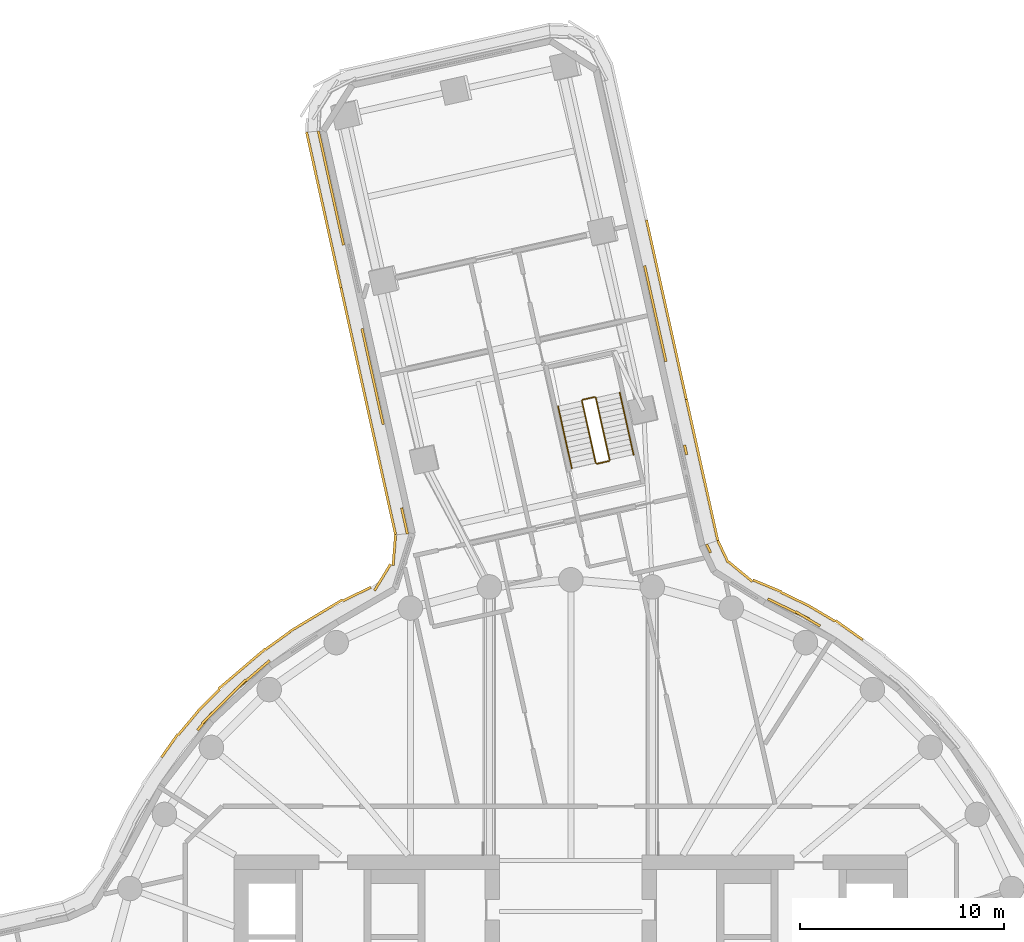
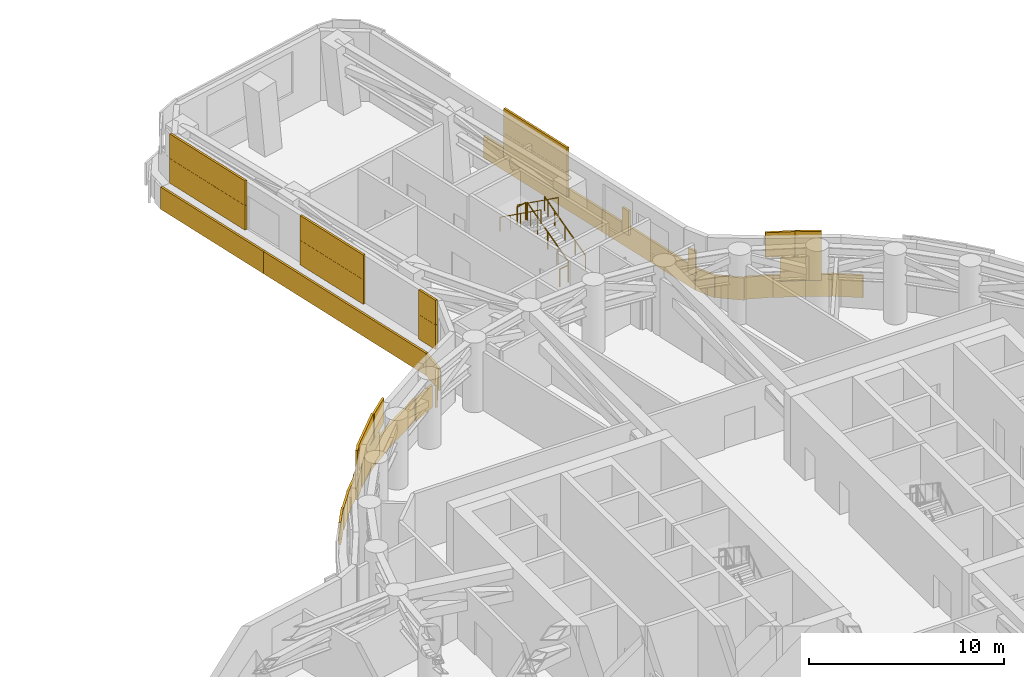
# One storey, part 21 of 22: 6 coverings, 6 railings.
"""IFC4 building model written with IfcOpenShell, lengths in metres."""

from ifc_helpers import new_model, si_unit, direction, frame, origin, origin_2d, place, context, subcontext, project, spatial, rectangle, circle, extrude, material, layer, layer_set, type_object, element, save


model = new_model("IFC4")

# Units and contexts
model_context = context("Model", 3, precision=1e-05, world=origin(), true_north=direction((0.0, 1.0)))
body_context = subcontext(model_context, "Body", "Model", "MODEL_VIEW")
ifc_project = project(units=[si_unit("LENGTHUNIT", "METRE"), si_unit("AREAUNIT", "SQUARE_METRE"), si_unit("VOLUMEUNIT", "CUBIC_METRE"), si_unit("PLANEANGLEUNIT", "RADIAN"), si_unit("MASSUNIT", "GRAM", prefix="KILO")], contexts=[model_context])

# Site, building, storey
site_placement = place(None, origin())
site = spatial("IfcSite", under=ifc_project, at=site_placement, CompositionType="ELEMENT")
building_placement = place(site_placement, origin())
building = spatial("IfcBuilding", under=site, at=building_placement, Name="Tamarind Cross Interchange Tower", CompositionType="ELEMENT")
storey_placement = place(building_placement, frame((0.0, 0.0, 79.0)))
storey = spatial("IfcBuildingStorey", under=building, at=storey_placement, Name="L18", CompositionType="ELEMENT", Elevation=79.0)

# Railings
ifc_material_1 = material(Name="Stair guard")
railing_type_1 = type_object("IfcRailingType", Name="Stair guard", PredefinedType="GUARDRAIL", material=ifc_material_1)
railing_1_placement = place(storey_placement, frame((1.902587890625, 28.876953125, 0.173095703125)))
element("IfcRailing", 1, at=railing_1_placement, inside=storey, type_object=railing_type_1, Name="L18 ST4 stair guard 1", PredefinedType="GUARDRAIL", context=body_context, shape_type="SweptSolid", body=[
    extrude(circle(Radius=0.02392578125, at=origin_2d()), frame((0.0, 0.0, 1.076171875), z_axis=(-0.18075383785, 0.812578063848, 0.554116359852), x_axis=(-0.976141010106, -0.217137579402, 0.0)), (0.0, 0.0, 1.0), 3.748046875),
    extrude(circle(Radius=0.02099609375, at=origin_2d()), origin(), (0.0, 0.0, 1.0), 1.052001953125),
    extrude(circle(Radius=0.02099609375, at=origin_2d()), frame((-0.16943359375, 0.761474609375, 0.519287109375)), (0.0, 0.0, 1.0), 1.052001953125),
    extrude(circle(Radius=0.02099609375, at=origin_2d()), frame((-0.3388671875, 1.52294921875, 1.03857421875)), (0.0, 0.0, 1.0), 1.052001953125),
    extrude(circle(Radius=0.02099609375, at=origin_2d()), frame((-0.508056640625, 2.2841796875, 1.5576171875)), (0.0, 0.0, 1.0), 1.052001953125),
    extrude(circle(Radius=0.02099609375, at=origin_2d()), frame((-0.677490234375, 3.045654296875, 2.076904296875)), (0.0, 0.0, 1.0), 1.052001953125),
])
railing_2_placement = place(storey_placement, frame((1.16552734375, 31.96044921875, 2.25)))
element("IfcRailing", 2, at=railing_2_placement, inside=storey, type_object=railing_type_1, Name="L18 ST4 stair guard 2", PredefinedType="GUARDRAIL", context=body_context, shape_type="SweptSolid", body=[
    extrude(circle(Radius=0.02392578125, at=origin_2d()), frame((0.0, 0.0, 1.076171875), z_axis=(-0.976196633778, -0.216887372157, 0.0), x_axis=(0.216887372157, -0.976196633778, 0.0)), (0.0, 0.0, 1.0), 0.599853515625),
    extrude(circle(Radius=0.02099609375, at=origin_2d()), origin(), (0.0, 0.0, 1.0), 1.052001953125),
    extrude(circle(Radius=0.02099609375, at=origin_2d()), frame((-0.585693359375, -0.130126953125, 0.0)), (0.0, 0.0, 1.0), 1.052001953125),
])
railing_3_placement = place(storey_placement, frame((0.5419921875, 31.770751953125, 2.423095703125)))
element("IfcRailing", 3, at=railing_3_placement, inside=storey, type_object=railing_type_1, Name="L18 ST4 stair guard 3", PredefinedType="GUARDRAIL", context=body_context, shape_type="SweptSolid", body=[
    extrude(circle(Radius=0.02392578125, at=origin_2d()), frame((0.0, 0.0, 1.076171875), z_axis=(0.180690828356, -0.812587629324, 0.554122882778), x_axis=(0.976157592696, 0.217063019009, 0.0)), (0.0, 0.0, 1.0), 3.748046875),
    extrude(circle(Radius=0.02099609375, at=origin_2d()), origin(), (0.0, 0.0, 1.0), 1.052001953125),
    extrude(circle(Radius=0.02099609375, at=origin_2d()), frame((0.16943359375, -0.761474609375, 0.519287109375)), (0.0, 0.0, 1.0), 1.052001953125),
    extrude(circle(Radius=0.02099609375, at=origin_2d()), frame((0.338623046875, -1.52294921875, 1.03857421875)), (0.0, 0.0, 1.0), 1.052001953125),
    extrude(circle(Radius=0.02099609375, at=origin_2d()), frame((0.5078125, -2.2841796875, 1.5576171875)), (0.0, 0.0, 1.0), 1.052001953125),
    extrude(circle(Radius=0.02099609375, at=origin_2d()), frame((0.67724609375, -3.045654296875, 2.076904296875)), (0.0, 0.0, 1.0), 1.052001953125),
])
railing_4_placement = place(storey_placement, frame((1.864501953125, 28.8173828125, 0.0)))
element("IfcRailing", 4, at=railing_4_placement, inside=storey, type_object=railing_type_1, Name="L18 ST4 stair guard 4", PredefinedType="GUARDRAIL", context=body_context, shape_type="SweptSolid", body=[
    extrude(circle(Radius=0.02392578125, at=origin_2d()), frame((0.0, 0.0, 1.076171875), z_axis=(-0.976110409751, -0.21727509746, 0.0), x_axis=(0.21727509746, -0.976110409751, 0.0)), (0.0, 0.0, 1.0), 0.60009765625),
    extrude(circle(Radius=0.02099609375, at=origin_2d()), origin(), (0.0, 0.0, 1.0), 1.052001953125),
    extrude(circle(Radius=0.02099609375, at=origin_2d()), frame((-0.585693359375, -0.13037109375, 0.0)), (0.0, 0.0, 1.0), 1.052001953125),
])
ifc_material_2 = material(Name="Stair handrail")
railing_type_2 = type_object("IfcRailingType", Name="Stair handrail", PredefinedType="HANDRAIL", material=ifc_material_2)
railing_5_placement = place(storey_placement, frame((3.073974609375, 29.137451171875, 0.173095703125)))
element("IfcRailing", 5, at=railing_5_placement, inside=storey, type_object=railing_type_2, Name="L18 ST4 stair handrail 1", PredefinedType="HANDRAIL", context=body_context, shape_type="SweptSolid", body=[
    extrude(circle(Radius=0.02392578125, at=origin_2d()), frame((0.0, 0.0, 0.8759765625), z_axis=(-0.18075383785, 0.812578063848, 0.554116359852), x_axis=(-0.976141010106, -0.217137579402, 0.0)), (0.0, 0.0, 1.0), 3.748046875),
    extrude(circle(Radius=0.02099609375, at=origin_2d()), origin(), (0.0, 0.0, 1.0), 0.851806640625),
    extrude(circle(Radius=0.02099609375, at=origin_2d()), frame((-0.16943359375, 0.761474609375, 0.519287109375)), (0.0, 0.0, 1.0), 0.851806640625),
    extrude(circle(Radius=0.02099609375, at=origin_2d()), frame((-0.3388671875, 1.52294921875, 1.03857421875)), (0.0, 0.0, 1.0), 0.851806640625),
    extrude(circle(Radius=0.02099609375, at=origin_2d()), frame((-0.508056640625, 2.2841796875, 1.5576171875)), (0.0, 0.0, 1.0), 0.851806640625),
    extrude(circle(Radius=0.02099609375, at=origin_2d()), frame((-0.677490234375, 3.045654296875, 2.076904296875)), (0.0, 0.0, 1.0), 0.851806640625),
])
railing_6_placement = place(storey_placement, frame((-0.62939453125, 31.51025390625, 2.423095703125)))
element("IfcRailing", 6, at=railing_6_placement, inside=storey, type_object=railing_type_2, Name="L18 ST4 stair handrail 2", PredefinedType="HANDRAIL", context=body_context, shape_type="SweptSolid", body=[
    extrude(circle(Radius=0.02392578125, at=origin_2d()), frame((0.0, 0.0, 0.8759765625), z_axis=(0.180690828356, -0.812587629324, 0.554122882778), x_axis=(0.976157592696, 0.217063019009, 0.0)), (0.0, 0.0, 1.0), 3.748046875),
    extrude(circle(Radius=0.02099609375, at=origin_2d()), origin(), (0.0, 0.0, 1.0), 0.851806640625),
    extrude(circle(Radius=0.02099609375, at=origin_2d()), frame((0.16943359375, -0.761474609375, 0.519287109375)), (0.0, 0.0, 1.0), 0.851806640625),
    extrude(circle(Radius=0.02099609375, at=origin_2d()), frame((0.338623046875, -1.52294921875, 1.03857421875)), (0.0, 0.0, 1.0), 0.851806640625),
    extrude(circle(Radius=0.02099609375, at=origin_2d()), frame((0.5078125, -2.2841796875, 1.5576171875)), (0.0, 0.0, 1.0), 0.851806640625),
    extrude(circle(Radius=0.02099609375, at=origin_2d()), frame((0.67724609375, -3.045654296875, 2.076904296875)), (0.0, 0.0, 1.0), 0.851806640625),
])

# Coverings
ifc_material_3 = material(Name="Terracotta", Category="masonry")
ifc_layer = layer(ifc_material_3, 0.1201171875)
ifc_layer_set = layer_set([ifc_layer], Name="Terracotta")
covering_type = type_object("IfcCoveringType", Name="Terracotta baguette screen unit", PredefinedType="MOLDING", material=ifc_layer_set)
covering_1_placement = place(storey_placement, origin())
element("IfcCovering", 7, at=covering_1_placement, inside=storey, type_object=covering_type, Name="SCR-L18-10-01", PredefinedType="MOLDING", context=body_context, shape_type="SweptSolid", body=[
    extrude(rectangle(XDim=0.64013671875, YDim=0.1201171875, at=origin_2d()), frame((11.942626953125, 20.895751953125, 1.404052734375), z_axis=(0.0, 0.0, 1.0), x_axis=(-0.861248933065, 0.508183308752, 0.0)), (0.0, 0.0, 1.0), 1.5419921875),
    extrude(rectangle(XDim=1.52001953125, YDim=0.1201171875, at=origin_2d()), frame((11.009765625, 21.407470703125, 1.404052734375), z_axis=(0.0, 0.0, 1.0), x_axis=(-0.900272776334, 0.435326231914, 0.0)), (0.0, 0.0, 1.0), 1.5419921875),
    extrude(rectangle(XDim=0.4677734375, YDim=0.1201171875, at=origin_2d()), frame((6.7509765625, 24.535888671875, 1.404052734375), z_axis=(0.0, 0.0, 1.0), x_axis=(-0.427216997365, 0.904149123299, 0.0)), (0.0, 0.0, 1.0), 1.5419921875),
    extrude(rectangle(XDim=1.39013671875, YDim=0.1201171875, at=origin_2d()), frame((11.61962890625, 21.086181640625, 2.9541015625), z_axis=(0.0, 0.0, 1.0), x_axis=(-0.861248933065, 0.508183308752, 0.0)), (0.0, 0.0, 1.0), 1.5419921875),
    extrude(rectangle(XDim=1.52001953125, YDim=0.1201171875, at=origin_2d()), frame((10.33447265625, 21.734130859375, 2.9541015625), z_axis=(0.0, 0.0, 1.0), x_axis=(-0.900272776334, 0.435326231914, 0.0)), (0.0, 0.0, 1.0), 1.5419921875),
    extrude(rectangle(XDim=0.143798828125, YDim=0.1201171875, at=origin_2d()), frame((14.248291015625, 20.10205078125, 0.00390625), z_axis=(0.0, 0.0, 1.0), x_axis=(-0.816341886298, 0.577568978284, 0.0)), (0.0, 0.0, 1.0), 1.39208984375),
    extrude(rectangle(XDim=1.52001953125, YDim=0.1201171875, at=origin_2d()), frame((13.58544921875, 20.57080078125, 0.00390625), z_axis=(0.0, 0.0, 1.0), x_axis=(-0.816341886298, 0.577568978284, 0.0)), (0.0, 0.0, 1.0), 1.39208984375),
    extrude(rectangle(XDim=1.52001953125, YDim=0.1201171875, at=origin_2d()), frame((12.303955078125, 21.34912109375, 0.00390625), z_axis=(0.0, 0.0, 1.0), x_axis=(-0.861248933065, 0.508183308752, 0.0)), (0.0, 0.0, 1.0), 1.39208984375),
    extrude(rectangle(XDim=1.52001953125, YDim=0.1201171875, at=origin_2d()), frame((10.9833984375, 22.057861328125, 0.00390625), z_axis=(0.0, 0.0, 1.0), x_axis=(-0.900272776334, 0.435326231914, 0.0)), (0.0, 0.0, 1.0), 1.39208984375),
    extrude(rectangle(XDim=1.52001953125, YDim=0.1201171875, at=origin_2d()), frame((9.62841796875, 22.700439453125, 0.00390625), z_axis=(0.0, 0.0, 1.0), x_axis=(-0.923118099232, 0.384516546939, 0.0)), (0.0, 0.0, 1.0), 1.39208984375),
    extrude(rectangle(XDim=1.52001953125, YDim=0.1201171875, at=origin_2d()), frame((8.31591796875, 23.396728515625, 0.00390625), z_axis=(0.0, 0.0, 1.0), x_axis=(-0.77020122552, 0.637800965982, 0.0)), (0.0, 0.0, 1.0), 1.39208984375),
    extrude(rectangle(XDim=1.201904296875, YDim=0.1201171875, at=origin_2d()), frame((7.456298828125, 24.38671875, 0.00390625), z_axis=(0.0, 0.0, 1.0), x_axis=(-0.427216997365, 0.904149123299, 0.0)), (0.0, 0.0, 1.0), 1.39208984375),
])
covering_2_placement = place(storey_placement, origin())
element("IfcCovering", 8, at=covering_2_placement, inside=storey, type_object=covering_type, Name="SCR-L18-11-00", PredefinedType="MOLDING", context=body_context, shape_type="SweptSolid", body=[
    extrude(rectangle(XDim=0.487548828125, YDim=0.1201171875, at=origin_2d()), frame((5.62451171875, 29.368408203125, 1.404052734375), z_axis=(0.0, 0.0, 1.0), x_axis=(-0.217080255487, 0.976153759752, 0.0)), (0.0, 0.0, 1.0), 1.5419921875),
    extrude(rectangle(XDim=1.510009765625, YDim=0.1201171875, at=origin_2d()), frame((7.03564453125, 25.6669921875, 0.00390625), z_axis=(0.0, 0.0, 1.0), x_axis=(-0.217080255487, 0.976153759752, 0.0)), (0.0, 0.0, 1.0), 1.39208984375),
    extrude(rectangle(XDim=1.52001953125, YDim=0.1201171875, at=origin_2d()), frame((6.711181640625, 27.126220703125, 0.00390625), z_axis=(0.0, 0.0, 1.0), x_axis=(-0.217080255487, 0.976153759752, 0.0)), (0.0, 0.0, 1.0), 1.39208984375),
    extrude(rectangle(XDim=1.52001953125, YDim=0.1201171875, at=origin_2d()), frame((6.385498046875, 28.590576171875, 0.00390625), z_axis=(0.0, 0.0, 1.0), x_axis=(-0.217080255487, 0.976153759752, 0.0)), (0.0, 0.0, 1.0), 1.39208984375),
    extrude(rectangle(XDim=1.52001953125, YDim=0.1201171875, at=origin_2d()), frame((6.06005859375, 30.0546875, 0.00390625), z_axis=(0.0, 0.0, 1.0), x_axis=(-0.217080255487, 0.976153759752, 0.0)), (0.0, 0.0, 1.0), 1.39208984375),
    extrude(rectangle(XDim=1.0908203125, YDim=0.1201171875, at=origin_2d()), frame((5.781005859375, 31.3095703125, 0.00390625), z_axis=(0.0, 0.0, 1.0), x_axis=(-0.217080255487, 0.976153759752, 0.0)), (0.0, 0.0, 1.0), 1.39208984375),
])
covering_3_placement = place(storey_placement, origin())
element("IfcCovering", 9, at=covering_3_placement, inside=storey, type_object=covering_type, Name="SCR-L18-11-01", PredefinedType="MOLDING", context=body_context, shape_type="SweptSolid", body=[
    extrude(rectangle(XDim=1.33251953125, YDim=0.1201171875, at=origin_2d()), frame((4.517578125, 34.346923828125, 1.404052734375), z_axis=(0.0, 0.0, 1.0), x_axis=(-0.217080255487, 0.976153759752, 0.0)), (0.0, 0.0, 1.0), 1.5419921875),
    extrude(rectangle(XDim=1.52001953125, YDim=0.1201171875, at=origin_2d()), frame((4.211181640625, 35.724365234375, 1.404052734375), z_axis=(0.0, 0.0, 1.0), x_axis=(-0.217080255487, 0.976153759752, 0.0)), (0.0, 0.0, 1.0), 1.5419921875),
    extrude(rectangle(XDim=1.52001953125, YDim=0.1201171875, at=origin_2d()), frame((3.885498046875, 37.188720703125, 1.404052734375), z_axis=(0.0, 0.0, 1.0), x_axis=(-0.217080255487, 0.976153759752, 0.0)), (0.0, 0.0, 1.0), 1.5419921875),
    extrude(rectangle(XDim=0.48828125, YDim=0.1201171875, at=origin_2d()), frame((3.670654296875, 38.154296875, 1.404052734375), z_axis=(0.0, 0.0, 1.0), x_axis=(-0.217080255487, 0.976153759752, 0.0)), (0.0, 0.0, 1.0), 1.5419921875),
    extrude(rectangle(XDim=0.58251953125, YDim=0.1201171875, at=origin_2d()), frame((4.598876953125, 33.980712890625, 2.9541015625), z_axis=(0.0, 0.0, 1.0), x_axis=(-0.217080255487, 0.976153759752, 0.0)), (0.0, 0.0, 1.0), 1.5419921875),
    extrude(rectangle(XDim=1.52001953125, YDim=0.1201171875, at=origin_2d()), frame((4.3740234375, 34.992431640625, 2.9541015625), z_axis=(0.0, 0.0, 1.0), x_axis=(-0.217080255487, 0.976153759752, 0.0)), (0.0, 0.0, 1.0), 1.5419921875),
    extrude(rectangle(XDim=1.52001953125, YDim=0.1201171875, at=origin_2d()), frame((4.04833984375, 36.45654296875, 2.9541015625), z_axis=(0.0, 0.0, 1.0), x_axis=(-0.217080255487, 0.976153759752, 0.0)), (0.0, 0.0, 1.0), 1.5419921875),
    extrude(rectangle(XDim=1.23828125, YDim=0.1201171875, at=origin_2d()), frame((3.752197265625, 37.7880859375, 2.9541015625), z_axis=(0.0, 0.0, 1.0), x_axis=(-0.217080255487, 0.976153759752, 0.0)), (0.0, 0.0, 1.0), 1.5419921875),
    extrude(rectangle(XDim=0.42919921875, YDim=0.1201171875, at=origin_2d()), frame((5.615966796875, 32.051513671875, 0.00390625), z_axis=(0.0, 0.0, 1.0), x_axis=(-0.217080255487, 0.976153759752, 0.0)), (0.0, 0.0, 1.0), 1.39208984375),
    extrude(rectangle(XDim=1.52001953125, YDim=0.1201171875, at=origin_2d()), frame((5.40869140625, 32.983154296875, 0.00390625), z_axis=(0.0, 0.0, 1.0), x_axis=(-0.217080255487, 0.976153759752, 0.0)), (0.0, 0.0, 1.0), 1.39208984375),
    extrude(rectangle(XDim=1.52001953125, YDim=0.1201171875, at=origin_2d()), frame((5.0830078125, 34.447509765625, 0.00390625), z_axis=(0.0, 0.0, 1.0), x_axis=(-0.217080255487, 0.976153759752, 0.0)), (0.0, 0.0, 1.0), 1.39208984375),
    extrude(rectangle(XDim=1.52001953125, YDim=0.1201171875, at=origin_2d()), frame((4.757568359375, 35.91162109375, 0.00390625), z_axis=(0.0, 0.0, 1.0), x_axis=(-0.217080255487, 0.976153759752, 0.0)), (0.0, 0.0, 1.0), 1.39208984375),
    extrude(rectangle(XDim=1.52001953125, YDim=0.1201171875, at=origin_2d()), frame((4.431884765625, 37.3759765625, 0.00390625), z_axis=(0.0, 0.0, 1.0), x_axis=(-0.217080255487, 0.976153759752, 0.0)), (0.0, 0.0, 1.0), 1.39208984375),
    extrude(rectangle(XDim=1.52001953125, YDim=0.1201171875, at=origin_2d()), frame((4.106201171875, 38.840087890625, 0.00390625), z_axis=(0.0, 0.0, 1.0), x_axis=(-0.217080255487, 0.976153759752, 0.0)), (0.0, 0.0, 1.0), 1.39208984375),
    extrude(rectangle(XDim=1.095947265625, YDim=0.1201171875, at=origin_2d()), frame((3.82666015625, 40.097412109375, 0.00390625), z_axis=(0.0, 0.0, 1.0), x_axis=(-0.217080255487, 0.976153759752, 0.0)), (0.0, 0.0, 1.0), 1.39208984375),
])
covering_4_placement = place(storey_placement, origin())
element("IfcCovering", 10, at=covering_4_placement, inside=storey, type_object=covering_type, Name="SCR-L18-13-00", PredefinedType="MOLDING", context=body_context, shape_type="SweptSolid", body=[
    extrude(rectangle(XDim=1.510009765625, YDim=0.1201171875, at=origin_2d()), frame((-12.21435546875, 44.25927734375, 1.404052734375), z_axis=(0.0, 0.0, 1.0), x_axis=(0.21581969888, -0.976433232523, 0.0)), (0.0, 0.0, 1.0), 1.5419921875),
    extrude(rectangle(XDim=1.52001953125, YDim=0.1201171875, at=origin_2d()), frame((-11.890625, 42.794677734375, 1.404052734375), z_axis=(0.0, 0.0, 1.0), x_axis=(0.21581969888, -0.976433232523, 0.0)), (0.0, 0.0, 1.0), 1.5419921875),
    extrude(rectangle(XDim=1.52001953125, YDim=0.1201171875, at=origin_2d()), frame((-11.56689453125, 41.330078125, 1.404052734375), z_axis=(0.0, 0.0, 1.0), x_axis=(0.21581969888, -0.976433232523, 0.0)), (0.0, 0.0, 1.0), 1.5419921875),
    extrude(rectangle(XDim=1.2275390625, YDim=0.1201171875, at=origin_2d()), frame((-11.273681640625, 40.00341796875, 1.404052734375), z_axis=(0.0, 0.0, 1.0), x_axis=(0.21581969888, -0.976433232523, 0.0)), (0.0, 0.0, 1.0), 1.5419921875),
    extrude(rectangle(XDim=0.760009765625, YDim=0.1201171875, at=origin_2d()), frame((-12.295166015625, 44.62548828125, 2.9541015625), z_axis=(0.0, 0.0, 1.0), x_axis=(0.21581969888, -0.976433232523, 0.0)), (0.0, 0.0, 1.0), 1.5419921875),
    extrude(rectangle(XDim=1.52001953125, YDim=0.1201171875, at=origin_2d()), frame((-12.052490234375, 43.527099609375, 2.9541015625), z_axis=(0.0, 0.0, 1.0), x_axis=(0.21581969888, -0.976433232523, 0.0)), (0.0, 0.0, 1.0), 1.5419921875),
    extrude(rectangle(XDim=1.52001953125, YDim=0.1201171875, at=origin_2d()), frame((-11.728759765625, 42.0625, 2.9541015625), z_axis=(0.0, 0.0, 1.0), x_axis=(0.21581969888, -0.976433232523, 0.0)), (0.0, 0.0, 1.0), 1.5419921875),
    extrude(rectangle(XDim=1.52001953125, YDim=0.1201171875, at=origin_2d()), frame((-11.405029296875, 40.59765625, 2.9541015625), z_axis=(0.0, 0.0, 1.0), x_axis=(0.21581969888, -0.976433232523, 0.0)), (0.0, 0.0, 1.0), 1.5419921875),
    extrude(rectangle(XDim=0.4775390625, YDim=0.1201171875, at=origin_2d()), frame((-11.192626953125, 39.63720703125, 2.9541015625), z_axis=(0.0, 0.0, 1.0), x_axis=(0.21581969888, -0.976433232523, 0.0)), (0.0, 0.0, 1.0), 1.5419921875),
    extrude(rectangle(XDim=1.510009765625, YDim=0.1201171875, at=origin_2d()), frame((-12.789794921875, 44.2041015625, 0.00390625), z_axis=(0.0, 0.0, 1.0), x_axis=(0.21581969888, -0.976433232523, 0.0)), (0.0, 0.0, 1.0), 1.39208984375),
    extrude(rectangle(XDim=1.52001953125, YDim=0.1201171875, at=origin_2d()), frame((-12.46728515625, 42.744384765625, 0.00390625), z_axis=(0.0, 0.0, 1.0), x_axis=(0.21581969888, -0.976433232523, 0.0)), (0.0, 0.0, 1.0), 1.39208984375),
    extrude(rectangle(XDim=1.52001953125, YDim=0.1201171875, at=origin_2d()), frame((-12.1435546875, 41.279541015625, 0.00390625), z_axis=(0.0, 0.0, 1.0), x_axis=(0.21581969888, -0.976433232523, 0.0)), (0.0, 0.0, 1.0), 1.39208984375),
    extrude(rectangle(XDim=1.52001953125, YDim=0.1201171875, at=origin_2d()), frame((-11.81982421875, 39.81494140625, 0.00390625), z_axis=(0.0, 0.0, 1.0), x_axis=(0.21581969888, -0.976433232523, 0.0)), (0.0, 0.0, 1.0), 1.39208984375),
    extrude(rectangle(XDim=1.52001953125, YDim=0.1201171875, at=origin_2d()), frame((-11.49609375, 38.350341796875, 0.00390625), z_axis=(0.0, 0.0, 1.0), x_axis=(0.21581969888, -0.976433232523, 0.0)), (0.0, 0.0, 1.0), 1.39208984375),
    extrude(rectangle(XDim=0.3232421875, YDim=0.1201171875, at=origin_2d()), frame((-11.301513671875, 37.469970703125, 0.00390625), z_axis=(0.0, 0.0, 1.0), x_axis=(0.21581969888, -0.976433232523, 0.0)), (0.0, 0.0, 1.0), 1.39208984375),
])
covering_5_placement = place(storey_placement, origin())
element("IfcCovering", 11, at=covering_5_placement, inside=storey, type_object=covering_type, Name="SCR-L18-13-01", PredefinedType="MOLDING", context=body_context, shape_type="SweptSolid", body=[
    extrude(rectangle(XDim=0.592529296875, YDim=0.1201171875, at=origin_2d()), frame((-10.1728515625, 35.023681640625, 1.404052734375), z_axis=(0.0, 0.0, 1.0), x_axis=(0.21581969888, -0.976433232523, 0.0)), (0.0, 0.0, 1.0), 1.5419921875),
    extrude(rectangle(XDim=1.52001953125, YDim=0.1201171875, at=origin_2d()), frame((-9.9482421875, 34.0068359375, 1.404052734375), z_axis=(0.0, 0.0, 1.0), x_axis=(0.21581969888, -0.976433232523, 0.0)), (0.0, 0.0, 1.0), 1.5419921875),
    extrude(rectangle(XDim=1.52001953125, YDim=0.1201171875, at=origin_2d()), frame((-9.62451171875, 32.542236328125, 1.404052734375), z_axis=(0.0, 0.0, 1.0), x_axis=(0.21581969888, -0.976433232523, 0.0)), (0.0, 0.0, 1.0), 1.5419921875),
    extrude(rectangle(XDim=1.226806640625, YDim=0.1201171875, at=origin_2d()), frame((-9.331298828125, 31.2158203125, 1.404052734375), z_axis=(0.0, 0.0, 1.0), x_axis=(0.21581969888, -0.976433232523, 0.0)), (0.0, 0.0, 1.0), 1.5419921875),
    extrude(rectangle(XDim=0.59326171875, YDim=0.1201171875, at=origin_2d()), frame((-8.230712890625, 26.236083984375, 1.404052734375), z_axis=(0.0, 0.0, 1.0), x_axis=(0.21581969888, -0.976433232523, 0.0)), (0.0, 0.0, 1.0), 1.5419921875),
    extrude(rectangle(XDim=0.7265625, YDim=0.1201171875, at=origin_2d()), frame((-8.09033203125, 25.6015625, 1.404052734375), z_axis=(0.0, 0.0, 1.0), x_axis=(0.21581969888, -0.976433232523, 0.0)), (0.0, 0.0, 1.0), 1.5419921875),
    extrude(rectangle(XDim=1.342529296875, YDim=0.1201171875, at=origin_2d()), frame((-10.092041015625, 34.657470703125, 2.9541015625), z_axis=(0.0, 0.0, 1.0), x_axis=(0.21581969888, -0.976433232523, 0.0)), (0.0, 0.0, 1.0), 1.5419921875),
    extrude(rectangle(XDim=1.52001953125, YDim=0.1201171875, at=origin_2d()), frame((-9.786376953125, 33.2744140625, 2.9541015625), z_axis=(0.0, 0.0, 1.0), x_axis=(0.21581969888, -0.976433232523, 0.0)), (0.0, 0.0, 1.0), 1.5419921875),
    extrude(rectangle(XDim=1.52001953125, YDim=0.1201171875, at=origin_2d()), frame((-9.462646484375, 31.809814453125, 2.9541015625), z_axis=(0.0, 0.0, 1.0), x_axis=(0.21581969888, -0.976433232523, 0.0)), (0.0, 0.0, 1.0), 1.5419921875),
    extrude(rectangle(XDim=0.476806640625, YDim=0.1201171875, at=origin_2d()), frame((-9.250244140625, 30.849609375, 2.9541015625), z_axis=(0.0, 0.0, 1.0), x_axis=(0.21581969888, -0.976433232523, 0.0)), (0.0, 0.0, 1.0), 1.5419921875),
    extrude(rectangle(XDim=1.2998046875, YDim=0.1201171875, at=origin_2d()), frame((-8.1533203125, 25.88623046875, 2.9541015625), z_axis=(0.0, 0.0, 1.0), x_axis=(0.21581969888, -0.976433232523, 0.0)), (0.0, 0.0, 1.0), 1.5419921875),
    extrude(rectangle(XDim=1.19677734375, YDim=0.1201171875, at=origin_2d()), frame((-11.137451171875, 36.727783203125, 0.00390625), z_axis=(0.0, 0.0, 1.0), x_axis=(0.21581969888, -0.976433232523, 0.0)), (0.0, 0.0, 1.0), 1.39208984375),
    extrude(rectangle(XDim=1.52001953125, YDim=0.1201171875, at=origin_2d()), frame((-10.8486328125, 35.4208984375, 0.00390625), z_axis=(0.0, 0.0, 1.0), x_axis=(0.21581969888, -0.976433232523, 0.0)), (0.0, 0.0, 1.0), 1.39208984375),
    extrude(rectangle(XDim=1.52001953125, YDim=0.1201171875, at=origin_2d()), frame((-10.52490234375, 33.956298828125, 0.00390625), z_axis=(0.0, 0.0, 1.0), x_axis=(0.21581969888, -0.976433232523, 0.0)), (0.0, 0.0, 1.0), 1.39208984375),
    extrude(rectangle(XDim=1.52001953125, YDim=0.1201171875, at=origin_2d()), frame((-10.201171875, 32.49169921875, 0.00390625), z_axis=(0.0, 0.0, 1.0), x_axis=(0.21581969888, -0.976433232523, 0.0)), (0.0, 0.0, 1.0), 1.39208984375),
    extrude(rectangle(XDim=1.52001953125, YDim=0.1201171875, at=origin_2d()), frame((-9.87744140625, 31.027099609375, 0.00390625), z_axis=(0.0, 0.0, 1.0), x_axis=(0.21581969888, -0.976433232523, 0.0)), (0.0, 0.0, 1.0), 1.39208984375),
    extrude(rectangle(XDim=1.52001953125, YDim=0.1201171875, at=origin_2d()), frame((-9.5537109375, 29.5625, 0.00390625), z_axis=(0.0, 0.0, 1.0), x_axis=(0.21581969888, -0.976433232523, 0.0)), (0.0, 0.0, 1.0), 1.39208984375),
    extrude(rectangle(XDim=1.52001953125, YDim=0.1201171875, at=origin_2d()), frame((-9.22998046875, 28.09765625, 0.00390625), z_axis=(0.0, 0.0, 1.0), x_axis=(0.21581969888, -0.976433232523, 0.0)), (0.0, 0.0, 1.0), 1.39208984375),
    extrude(rectangle(XDim=1.52001953125, YDim=0.1201171875, at=origin_2d()), frame((-8.90625, 26.633056640625, 0.00390625), z_axis=(0.0, 0.0, 1.0), x_axis=(0.21581969888, -0.976433232523, 0.0)), (0.0, 0.0, 1.0), 1.39208984375),
    extrude(rectangle(XDim=0.715576171875, YDim=0.1201171875, at=origin_2d()), frame((-8.66943359375, 25.561279296875, 0.00390625), z_axis=(0.0, 0.0, 1.0), x_axis=(0.21581969888, -0.976433232523, 0.0)), (0.0, 0.0, 1.0), 1.39208984375),
])
covering_6_placement = place(storey_placement, origin())
element("IfcCovering", 12, at=covering_6_placement, inside=storey, type_object=covering_type, Name="SCR-L18-14-00", PredefinedType="MOLDING", context=body_context, shape_type="SweptSolid", body=[
    extrude(rectangle(XDim=1.52001953125, YDim=0.1201171875, at=origin_2d()), frame((-15.906982421875, 18.062255859375, 1.404052734375), z_axis=(0.0, 0.0, 1.0), x_axis=(-0.760295606781, -0.64957723968, 0.0)), (0.0, 0.0, 1.0), 1.5419921875),
    extrude(rectangle(XDim=1.52001953125, YDim=0.1201171875, at=origin_2d()), frame((-16.998779296875, 17.035400390625, 1.404052734375), z_axis=(0.0, 0.0, 1.0), x_axis=(-0.704057148523, -0.710143317658, 0.0)), (0.0, 0.0, 1.0), 1.5419921875),
    extrude(rectangle(XDim=1.179931640625, YDim=0.1201171875, at=origin_2d()), frame((-17.92578125, 16.07568359375, 1.404052734375), z_axis=(0.0, 0.0, 1.0), x_axis=(-0.643009266048, -0.765858396687, 0.0)), (0.0, 0.0, 1.0), 1.5419921875),
    extrude(rectangle(XDim=1.52001953125, YDim=0.1201171875, at=origin_2d()), frame((-15.336669921875, 18.549560546875, 2.9541015625), z_axis=(0.0, 0.0, 1.0), x_axis=(-0.760295606781, -0.64957723968, 0.0)), (0.0, 0.0, 1.0), 1.5419921875),
    extrude(rectangle(XDim=1.52001953125, YDim=0.1201171875, at=origin_2d()), frame((-16.470703125, 17.568115234375, 2.9541015625), z_axis=(0.0, 0.0, 1.0), x_axis=(-0.704057148523, -0.710143317658, 0.0)), (0.0, 0.0, 1.0), 1.5419921875),
    extrude(rectangle(XDim=1.52001953125, YDim=0.1201171875, at=origin_2d()), frame((-17.52685546875, 16.5029296875, 2.9541015625), z_axis=(0.0, 0.0, 1.0), x_axis=(-0.704057148523, -0.710143317658, 0.0)), (0.0, 0.0, 1.0), 1.5419921875),
    extrude(rectangle(XDim=0.429931640625, YDim=0.1201171875, at=origin_2d()), frame((-18.1669921875, 15.78857421875, 2.9541015625), z_axis=(0.0, 0.0, 1.0), x_axis=(-0.643009266048, -0.765858396687, 0.0)), (0.0, 0.0, 1.0), 1.5419921875),
    extrude(rectangle(XDim=1.510009765625, YDim=0.1201171875, at=origin_2d()), frame((-8.65283203125, 24.45947265625, 0.00390625), z_axis=(0.0, 0.0, 1.0), x_axis=(-0.080422797465, -0.996760840748, 0.0)), (0.0, 0.0, 1.0), 1.39208984375),
    extrude(rectangle(XDim=1.52001953125, YDim=0.1201171875, at=origin_2d()), frame((-9.23193359375, 23.11767578125, 0.00390625), z_axis=(0.0, 0.0, 1.0), x_axis=(-0.518648780545, -0.854987393146, 0.0)), (0.0, 0.0, 1.0), 1.39208984375),
    extrude(rectangle(XDim=1.52001953125, YDim=0.1201171875, at=origin_2d()), frame((-10.486328125, 22.302001953125, 0.00390625), z_axis=(0.0, 0.0, 1.0), x_axis=(-0.896423142967, -0.443199220162, 0.0)), (0.0, 0.0, 1.0), 1.39208984375),
    extrude(rectangle(XDim=1.52001953125, YDim=0.1201171875, at=origin_2d()), frame((-11.8310546875, 21.63720703125, 0.00390625), z_axis=(0.0, 0.0, 1.0), x_axis=(-0.856843065292, -0.515577308909, 0.0)), (0.0, 0.0, 1.0), 1.39208984375),
    extrude(rectangle(XDim=1.52001953125, YDim=0.1201171875, at=origin_2d()), frame((-13.1162109375, 20.86376953125, 0.00390625), z_axis=(0.0, 0.0, 1.0), x_axis=(-0.856843065292, -0.515577308909, 0.0)), (0.0, 0.0, 1.0), 1.39208984375),
    extrude(rectangle(XDim=1.52001953125, YDim=0.1201171875, at=origin_2d()), frame((-14.357666015625, 20.024169921875, 0.00390625), z_axis=(0.0, 0.0, 1.0), x_axis=(-0.811340475102, -0.584573890505, 0.0)), (0.0, 0.0, 1.0), 1.39208984375),
    extrude(rectangle(XDim=1.52001953125, YDim=0.1201171875, at=origin_2d()), frame((-15.552978515625, 19.11962890625, 0.00390625), z_axis=(0.0, 0.0, 1.0), x_axis=(-0.760295606781, -0.64957723968, 0.0)), (0.0, 0.0, 1.0), 1.39208984375),
    extrude(rectangle(XDim=1.52001953125, YDim=0.1201171875, at=origin_2d()), frame((-16.693359375, 18.145263671875, 0.00390625), z_axis=(0.0, 0.0, 1.0), x_axis=(-0.760295606781, -0.64957723968, 0.0)), (0.0, 0.0, 1.0), 1.39208984375),
    extrude(rectangle(XDim=1.52001953125, YDim=0.1201171875, at=origin_2d()), frame((-17.755859375, 17.0869140625, 0.00390625), z_axis=(0.0, 0.0, 1.0), x_axis=(-0.704057148523, -0.710143317658, 0.0)), (0.0, 0.0, 1.0), 1.39208984375),
    extrude(rectangle(XDim=1.52001953125, YDim=0.1201171875, at=origin_2d()), frame((-18.76025390625, 15.974365234375, 0.00390625), z_axis=(0.0, 0.0, 1.0), x_axis=(-0.643009266048, -0.765858396687, 0.0)), (0.0, 0.0, 1.0), 1.39208984375),
    extrude(rectangle(XDim=1.376220703125, YDim=0.1201171875, at=origin_2d()), frame((-19.6630859375, 14.86865234375, 0.00390625), z_axis=(0.0, 0.0, 1.0), x_axis=(-0.577568978284, -0.816341886298, 0.0)), (0.0, 0.0, 1.0), 1.39208984375),
])

save(model, "model.ifc")
